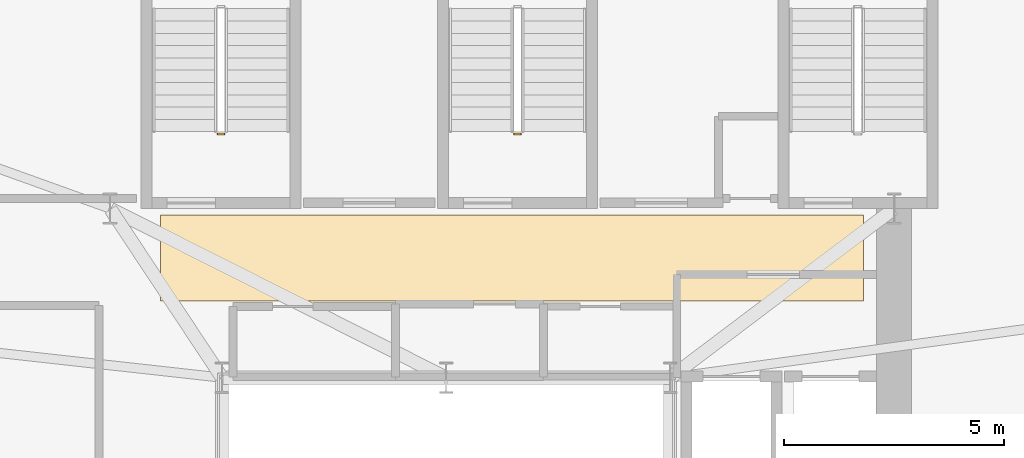
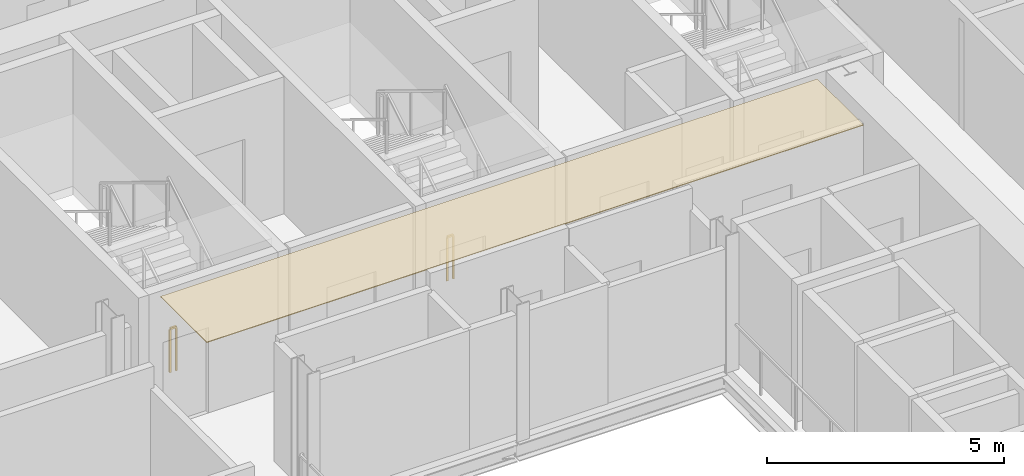
# One storey, part 14 of 17: 2 railings, 1 covering.
"""IFC4 building model written with IfcOpenShell, lengths in metres."""

import ifcopenshell
import ifcopenshell.guid

model = None  # the IFC model being written
_history = None  # IfcOwnerHistory: only IFC2X3 demands one
_inside = {}  # id of a spatial element -> (the spatial element, [elements in it])
_under = {}  # id of a project, library or spatial element -> (it, [spatial elements below it])
_declared = {}  # id of a project -> (the project, [libraries it declares])
_typed = {}  # id of a type object -> (the type object, [elements of that type])
_made_of = {}  # id of a material, layer set ... -> (it, [elements and type objects made of it])


def new_model(schema):
    """Start an empty IFC model of exactly this schema.

    Asked for "IFC4X3", IfcOpenShell would pick the latest addendum, in which some entities
    have other attributes; the version numbers below select the first issue.
    IFC2X3 requires an IfcOwnerHistory on every rooted entity: one is made here for all.
    """
    global model, _history
    if schema == "IFC4X3":
        model = ifcopenshell.file(schema_version=(4, 3, 0, 0))
    else:
        model = ifcopenshell.file(schema=schema)
    _inside.clear()
    _under.clear()
    _declared.clear()
    _typed.clear()
    _made_of.clear()
    _history = None
    if model.schema == "IFC2X3":
        org = make("IfcOrganization", Name="unknown")
        user = make(
            "IfcPersonAndOrganization",
            ThePerson=make("IfcPerson", FamilyName="unknown"),
            TheOrganization=org,
        )
        app = make(
            "IfcApplication",
            ApplicationDeveloper=org,
            Version="unknown",
            ApplicationFullName="unknown",
            ApplicationIdentifier="unknown",
        )
        _history = make(
            "IfcOwnerHistory",
            OwningUser=user,
            OwningApplication=app,
            ChangeAction="ADDED",
            CreationDate=0,
        )
    return model


def make(cls, **values):
    """One entity of the class cls with the attributes given. An attribute that is None is left unset."""
    return model.create_entity(
        cls, **{name: value for name, value in values.items() if value is not None}
    )


def rooted(cls, **values):
    """An entity with a GlobalId (a new one), such as an element, a storey or a relation."""
    return make(cls, GlobalId=ifcopenshell.guid.new(), OwnerHistory=_history, **values)


def si_unit(unit_type, name, prefix=None):
    """IfcSIUnit, for example si_unit("LENGTHUNIT", "METRE", prefix="MILLI")."""
    return make("IfcSIUnit", UnitType=unit_type, Prefix=prefix, Name=name)


def assignment(units):
    """IfcUnitAssignment: the units of a project."""
    return None if units is None else make("IfcUnitAssignment", Units=units)


def point(xyz):
    """IfcCartesianPoint."""
    return None if xyz is None else make("IfcCartesianPoint", Coordinates=xyz)


def direction(xyz):
    """IfcDirection."""
    return None if xyz is None else make("IfcDirection", DirectionRatios=xyz)


def frame(location, z_axis=None, x_axis=None):
    """IfcAxis2Placement3D, a coordinate frame: its origin and axes. An axis left out is left unset."""
    return make(
        "IfcAxis2Placement3D",
        Location=point(location),
        Axis=direction(z_axis),
        RefDirection=direction(x_axis),
    )


def frame_2d(location, x_axis=None):
    """IfcAxis2Placement2D, a coordinate frame in the plane: its origin and x axis."""
    return make(
        "IfcAxis2Placement2D", Location=point(location), RefDirection=direction(x_axis)
    )


def origin():
    """The frame at (0, 0, 0) with its axes left unset."""
    return frame((0.0, 0.0, 0.0))


def origin_2d():
    """The frame at (0, 0) in the plane with its x axis left unset."""
    return frame_2d((0.0, 0.0))


def place(relative_to, where):
    """IfcLocalPlacement: puts the frame where relative to a parent placement (None: the world)."""
    return make(
        "IfcLocalPlacement", PlacementRelTo=relative_to, RelativePlacement=where
    )


def context(
    kind, dimensions, precision=None, world=None, true_north=None, identifier=None
):
    """IfcGeometricRepresentationContext, for example the 3D "Model" context."""
    return make(
        "IfcGeometricRepresentationContext",
        ContextIdentifier=identifier,
        ContextType=kind,
        CoordinateSpaceDimension=dimensions,
        Precision=precision,
        WorldCoordinateSystem=world,
        TrueNorth=true_north,
    )


def subcontext(parent, identifier, kind, view, scale=None):
    """IfcGeometricRepresentationSubContext, for example "Body" below "Model"."""
    return make(
        "IfcGeometricRepresentationSubContext",
        ContextIdentifier=identifier,
        ContextType=kind,
        ParentContext=parent,
        TargetScale=scale,
        TargetView=view,
    )


def project(units=None, contexts=None):
    """IfcProject with its units and contexts."""
    return rooted(
        "IfcProject",
        Name="project",
        RepresentationContexts=contexts,
        UnitsInContext=assignment(units),
    )


def spatial(cls, under=None, at=None, **own):
    """A site, building, storey or space (cls), placed at a placement, below another one or the project."""
    s = rooted(cls, ObjectPlacement=at, **own)
    if under is not None:
        _under.setdefault(under.id(), (under, []))[1].append(s)
    return s


def polyline(points):
    """IfcPolyline through the points."""
    return make("IfcPolyline", Points=[point(p) for p in points])


def profile(cls, at=None, kind="AREA", **sizes):
    """A parametric profile (cls). Its sizes go by their IFC names, for example OverallWidth=200.0."""
    return make(cls, ProfileType=kind, Position=at, **sizes)


def rectangle(**sizes):
    """IfcRectangleProfileDef."""
    return profile("IfcRectangleProfileDef", **sizes)


def outline(outer, holes=None, kind="AREA"):
    """IfcArbitraryClosedProfileDef: a profile drawn as a closed curve; with holes, ...WithVoids."""
    if holes is None:
        return make("IfcArbitraryClosedProfileDef", ProfileType=kind, OuterCurve=outer)
    return make(
        "IfcArbitraryProfileDefWithVoids",
        ProfileType=kind,
        OuterCurve=outer,
        InnerCurves=holes,
    )


def extrude(swept, where, along, depth):
    """IfcExtrudedAreaSolid: the profile swept, set in the frame where, extruded along a direction by depth."""
    return make(
        "IfcExtrudedAreaSolid",
        SweptArea=swept,
        Position=where,
        ExtrudedDirection=direction(along),
        Depth=depth,
    )


def shape(context_of_items, identifier, shape_type, items):
    """IfcShapeRepresentation: the items that make up one representation, for example the "Body"."""
    return make(
        "IfcShapeRepresentation",
        ContextOfItems=context_of_items,
        RepresentationIdentifier=identifier,
        RepresentationType=shape_type,
        Items=items,
    )


def source(mapping_origin, context_of_items, identifier, shape_type, items):
    """IfcRepresentationMap: a shape defined once, which mapped items show again and again."""
    return make(
        "IfcRepresentationMap",
        MappingOrigin=mapping_origin,
        MappedRepresentation=shape(context_of_items, identifier, shape_type, items),
    )


def transform(
    local_origin,
    x_axis=None,
    y_axis=None,
    z_axis=None,
    scale=None,
    scale2=None,
    scale3=None,
    uniform=True,
):
    """IfcCartesianTransformationOperator3D, or its non-uniform kind. x_axis, y_axis, z_axis: its Axis1, 2, 3."""
    if uniform:
        return make(
            "IfcCartesianTransformationOperator3D",
            Axis1=direction(x_axis),
            Axis2=direction(y_axis),
            LocalOrigin=point(local_origin),
            Scale=scale,
            Axis3=direction(z_axis),
        )
    return make(
        "IfcCartesianTransformationOperator3DnonUniform",
        Axis1=direction(x_axis),
        Axis2=direction(y_axis),
        LocalOrigin=point(local_origin),
        Scale=scale,
        Axis3=direction(z_axis),
        Scale2=scale2,
        Scale3=scale3,
    )


def mapped(mapping_source, mapping_target):
    """IfcMappedItem: shows the shape of a source again, moved by a transform."""
    return make(
        "IfcMappedItem", MappingSource=mapping_source, MappingTarget=mapping_target
    )


def material(Name=None, Category=None):
    """IfcMaterial."""
    return make("IfcMaterial", Name=Name, Category=Category)


def layer(
    of_material, thickness, ventilated=None, Name=None, Category=None, Priority=None
):
    """IfcMaterialLayer: one layer of a wall or slab, of a material (None: an air gap)."""
    return make(
        "IfcMaterialLayer",
        Material=of_material,
        LayerThickness=thickness,
        IsVentilated=ventilated,
        Name=Name,
        Category=Category,
        Priority=Priority,
    )


def layer_set(layers, Name=None):
    """IfcMaterialLayerSet."""
    return make("IfcMaterialLayerSet", MaterialLayers=layers, LayerSetName=Name)


def made_of(thing, what):
    """Note that an element or type object is made of a material, layer set ...; save() writes the relation."""
    if what is not None:
        _made_of.setdefault(what.id(), (what, []))[1].append(thing)
    return thing


def type_object(cls, material=None, **own):
    """A type object (cls), such as IfcWallType, which elements share."""
    return made_of(rooted(cls, **own), material)


def element(
    cls,
    number,
    at=None,
    inside=None,
    cuts=None,
    type_object=None,
    material=None,
    context=None,
    identifier="Body",
    shape_type=None,
    held_by="IfcProductDefinitionShape",
    body=None,
    shapes=None,
    **own,
):
    """One element of the class cls, such as IfcWall. Its Tag is "e" and its number.

    at: its placement. inside: the storey or other place that contains it. cuts: it is an
    opening in that element (IfcRelVoidsElement). A single representation is given by context,
    identifier, shape_type and body (its items); several are given by shapes. held_by: the class
    of the entity that holds the representations. save() writes the other relations.
    """
    e = rooted(cls, Tag="e%d" % number, ObjectPlacement=at, **own)
    if body is not None:
        shapes = [shape(context, identifier, shape_type, body)]
    if shapes is not None:
        e.Representation = make(held_by, Representations=shapes)
    if inside is not None:
        _inside.setdefault(inside.id(), (inside, []))[1].append(e)
    if cuts is not None:
        rooted(
            "IfcRelVoidsElement", RelatingBuildingElement=cuts, RelatedOpeningElement=e
        )
    if type_object is not None:
        _typed.setdefault(type_object.id(), (type_object, []))[1].append(e)
    return made_of(e, material)


def aggregate(whole, parts):
    """IfcRelAggregates: a whole, such as a stair, and the parts it consists of."""
    return rooted("IfcRelAggregates", RelatingObject=whole, RelatedObjects=parts)


def save(model, path):
    """Write the relations noted so far, then the file.

    IfcRelAggregates (storeys below a building ...), IfcRelContainedInSpatialStructure (elements
    in a storey), IfcRelDefinesByType, IfcRelAssociatesMaterial and IfcRelDeclares: one each for
    every whole, place, type object, material and project.
    """
    for whole, parts in _under.values():
        aggregate(whole, parts)
    for where, things in _inside.values():
        rooted(
            "IfcRelContainedInSpatialStructure",
            RelatedElements=things,
            RelatingStructure=where,
        )
    for kind, things in _typed.values():
        rooted("IfcRelDefinesByType", RelatedObjects=things, RelatingType=kind)
    for what, things in _made_of.values():
        rooted("IfcRelAssociatesMaterial", RelatedObjects=things, RelatingMaterial=what)
    for by, libraries in _declared.values():
        rooted("IfcRelDeclares", RelatingContext=by, RelatedDefinitions=libraries)
    model.write(path)


model = new_model("IFC4")

# Units and contexts
model_context = context("Model", 3, precision=1e-05, world=origin(), true_north=direction((0.0, 1.0)))
body_context = subcontext(model_context, "Body", "Model", "MODEL_VIEW")
ifc_project = project(units=[si_unit("LENGTHUNIT", "METRE"), si_unit("AREAUNIT", "SQUARE_METRE"), si_unit("VOLUMEUNIT", "CUBIC_METRE"), si_unit("PLANEANGLEUNIT", "RADIAN"), si_unit("MASSUNIT", "GRAM", prefix="KILO")], contexts=[model_context])

# Site, building, storey
site_placement = place(None, origin())
site = spatial("IfcSite", under=ifc_project, at=site_placement, CompositionType="ELEMENT")
building_placement = place(site_placement, origin())
building = spatial("IfcBuilding", under=site, at=building_placement, Name="Vardaveli Station Tower", CompositionType="ELEMENT")
storey_placement = place(building_placement, frame((0.0, 0.0, 218.550048828125)))
storey = spatial("IfcBuildingStorey", under=building, at=storey_placement, Name="L56", CompositionType="ELEMENT", Elevation=218.550048828125)

# Covering
ifc_material_1 = material(Name="Perforated acoustic mineral ceiling")
ifc_layer = layer(ifc_material_1, 0.02001953125, Name="Perforated acoustic mineral ceiling")
ifc_layer_set = layer_set([ifc_layer], Name="Perforated acoustic mineral ceiling")
covering_type = type_object("IfcCoveringType", Name="COV-CEIL-AC20", PredefinedType="CEILING", material=ifc_layer_set)
covering_placement = place(storey_placement, frame((0.0, 0.0, 3.514892578125)))
element("IfcCovering", 1, at=covering_placement, inside=storey, type_object=covering_type, Name="CEIL-L56-8", PredefinedType="CEILING", context=body_context, shape_type="SweptSolid", body=[
    extrude(outline(polyline([(29.800048828125, 28.550048828125), (45.800048828125, 28.550048828125), (45.800048828125, 30.5), (29.800048828125, 30.5), (29.800048828125, 28.550048828125)])), origin(), (0.0, 0.0, 1.0), 0.02001953125),
])

# Railings
ifc_material_2 = material(Name="Brushed AISI 316 stainless steel", Category="steel")
railing_type = type_object("IfcRailingType", Name="RL-GUARD-1150", PredefinedType="GUARDRAIL", material=ifc_material_2)
shared_shape = source(origin(), body_context, "Body", "SweptSolid", [
    extrude(rectangle(XDim=0.048095703125, YDim=0.048095703125, at=origin_2d()), frame((0.0, 0.0, 1.1259765625), z_axis=(-1.0, 0.0, 0.0), x_axis=(0.0, -1.0, 0.0)), (0.0, 0.0, 1.0), 0.14990234375),
    extrude(rectangle(XDim=0.0419921875, YDim=0.0419921875, at=origin_2d()), origin(), (0.0, 0.0, 1.0), 1.101806640625),
    extrude(rectangle(XDim=0.0419921875, YDim=0.0419921875, at=origin_2d()), frame((-0.14990234375, 0.0, 0.0)), (0.0, 0.0, 1.0), 1.101806640625),
])
for number, where, name in (
    (2, (31.25, 32.35009765625, 0.0), "L56 ST-1 stair guard 4"),
    (3, (38.0, 32.35009765625, 0.0), "L56 ST-2 stair guard 4"),
):
    element("IfcRailing", number, at=place(storey_placement, frame(where)), inside=storey, type_object=railing_type, Name=name, PredefinedType="GUARDRAIL", context=body_context, shape_type="MappedRepresentation", body=[
        mapped(shared_shape, transform((0.0, 0.0, 0.0), scale=1.0)),
    ])

save(model, "model.ifc")
